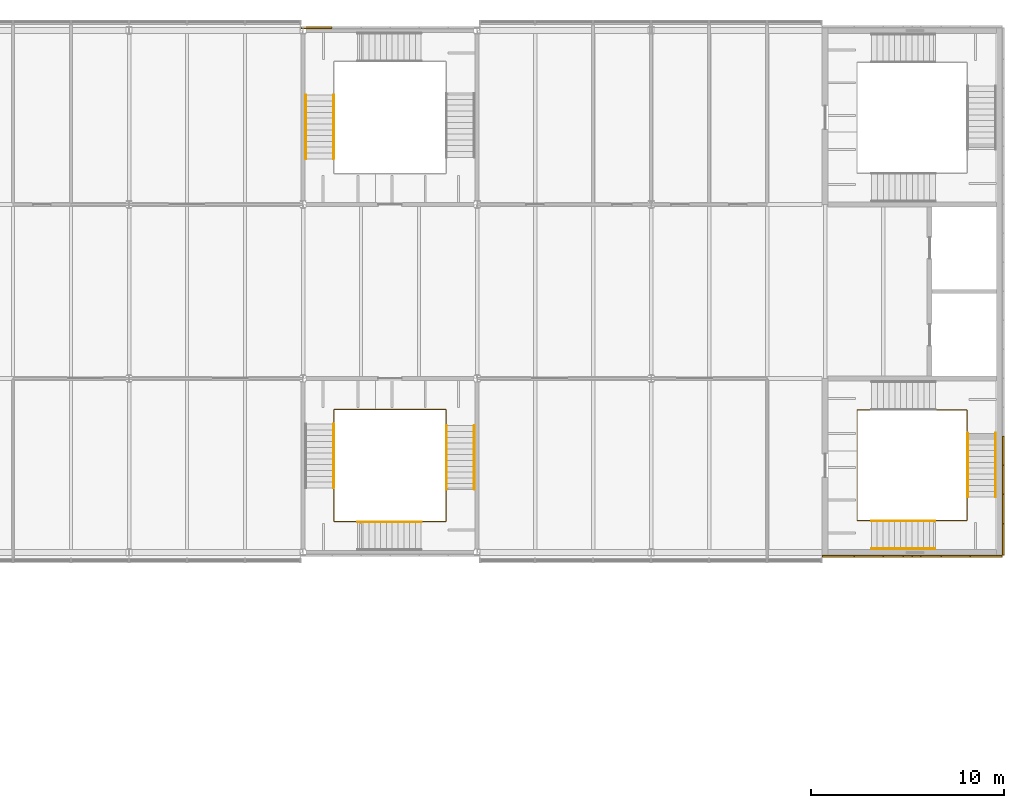
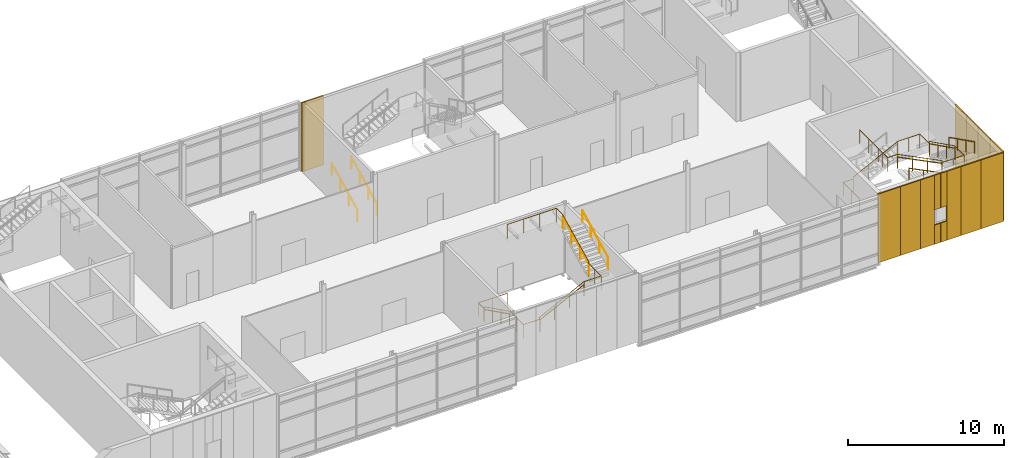
# One storey, part 52 of 53: 15 coverings, 12 railings.
"""IFC4 building model written with IfcOpenShell, lengths in metres."""

from ifc_helpers import new_model, si_unit, direction, frame, origin, origin_2d, place, context, subcontext, project, spatial, rectangle, circle, extrude, material, layer, layer_set, type_object, element, save


model = new_model("IFC4")

# Units and contexts
model_context = context("Model", 3, precision=1e-05, world=origin(), true_north=direction((0.0, 1.0)))
body_context = subcontext(model_context, "Body", "Model", "MODEL_VIEW")
ifc_project = project(units=[si_unit("LENGTHUNIT", "METRE"), si_unit("AREAUNIT", "SQUARE_METRE"), si_unit("VOLUMEUNIT", "CUBIC_METRE"), si_unit("PLANEANGLEUNIT", "RADIAN"), si_unit("MASSUNIT", "GRAM", prefix="KILO")], contexts=[model_context])

# Site, building, storey
site_placement = place(None, origin())
site = spatial("IfcSite", under=ifc_project, at=site_placement, CompositionType="ELEMENT")
building_placement = place(site_placement, origin())
building = spatial("IfcBuilding", under=site, at=building_placement, Name="Azimuth Sports and Learning Centre", CompositionType="ELEMENT")
storey_placement = place(building_placement, frame((0.0, 0.0, 10.800048828125)))
storey = spatial("IfcBuildingStorey", under=building, at=storey_placement, Name="L02", CompositionType="ELEMENT", Elevation=10.800048828125)

# Coverings
ifc_material_1 = material(Name="Cladding panel")
ifc_layer = layer(ifc_material_1, 0.10009765625)
ifc_layer_set = layer_set([ifc_layer], Name="Cladding panel")
covering_type = type_object("IfcCoveringType", Name="Cladding panel 100", PredefinedType="CLADDING", material=ifc_layer_set)
covering_1_placement = place(storey_placement, frame((162.675048828125, 89.800048828125, 0.0), z_axis=(0.0, 0.0, 1.0), x_axis=(1.0, 0.0, 0.0)))
element("IfcCovering", 1, at=covering_1_placement, inside=storey, type_object=covering_type, Name="Cladding panel S-END E L02 1", PredefinedType="CLADDING", context=body_context, shape_type="SweptSolid", body=[
    extrude(rectangle(XDim=1.64990234375, YDim=0.10009765625, at=origin_2d()), origin(), (0.0, 0.0, 1.0), 5.39990234375),
])
covering_2_placement = place(storey_placement, frame((164.25, 89.800048828125, 0.0), z_axis=(0.0, 0.0, 1.0), x_axis=(1.0, 0.0, 0.0)))
element("IfcCovering", 2, at=covering_2_placement, inside=storey, type_object=covering_type, Name="Cladding panel S-END E L02 2", PredefinedType="CLADDING", context=body_context, shape_type="SweptSolid", body=[
    extrude(rectangle(XDim=1.5, YDim=0.10009765625, at=origin_2d()), origin(), (0.0, 0.0, 1.0), 5.39990234375),
])
covering_3_placement = place(storey_placement, frame((165.52490234375, 89.800048828125, 0.0), z_axis=(0.0, 0.0, 1.0), x_axis=(1.0, 0.0, 0.0)))
element("IfcCovering", 3, at=covering_3_placement, inside=storey, type_object=covering_type, Name="Cladding panel S-END E L02 3", PredefinedType="CLADDING", context=body_context, shape_type="SweptSolid", body=[
    extrude(rectangle(XDim=1.050048828125, YDim=0.10009765625, at=origin_2d()), origin(), (0.0, 0.0, 1.0), 5.39990234375),
])
covering_4_placement = place(storey_placement, frame((166.27490234375, 89.800048828125, 0.0), z_axis=(0.0, 0.0, 1.0), x_axis=(1.0, 0.0, 0.0)))
element("IfcCovering", 4, at=covering_4_placement, inside=storey, type_object=covering_type, Name="Cladding panel S-END E L02 4", PredefinedType="CLADDING", context=body_context, shape_type="SweptSolid", body=[
    extrude(rectangle(XDim=0.449951171875, YDim=0.10009765625, at=origin_2d()), origin(), (0.0, 0.0, 1.0), 1.5),
])
covering_5_placement = place(storey_placement, frame((166.27490234375, 89.800048828125, 2.7001953125), z_axis=(0.0, 0.0, 1.0), x_axis=(1.0, 0.0, 0.0)))
element("IfcCovering", 5, at=covering_5_placement, inside=storey, type_object=covering_type, Name="Cladding panel S-END E L02 5", PredefinedType="CLADDING", context=body_context, shape_type="SweptSolid", body=[
    extrude(rectangle(XDim=0.449951171875, YDim=0.10009765625, at=origin_2d()), origin(), (0.0, 0.0, 1.0), 2.699951171875),
])
covering_6_placement = place(storey_placement, frame((167.47509765625, 89.800048828125, 0.0), z_axis=(0.0, 0.0, 1.0), x_axis=(1.0, 0.0, 0.0)))
element("IfcCovering", 6, at=covering_6_placement, inside=storey, type_object=covering_type, Name="Cladding panel S-END E L02 6", PredefinedType="CLADDING", context=body_context, shape_type="SweptSolid", body=[
    extrude(rectangle(XDim=1.050048828125, YDim=0.10009765625, at=origin_2d()), origin(), (0.0, 0.0, 1.0), 5.39990234375),
])
covering_7_placement = place(storey_placement, frame((166.72509765625, 89.800048828125, 0.0), z_axis=(0.0, 0.0, 1.0), x_axis=(1.0, 0.0, 0.0)))
element("IfcCovering", 7, at=covering_7_placement, inside=storey, type_object=covering_type, Name="Cladding panel S-END E L02 7", PredefinedType="CLADDING", context=body_context, shape_type="SweptSolid", body=[
    extrude(rectangle(XDim=0.449951171875, YDim=0.10009765625, at=origin_2d()), origin(), (0.0, 0.0, 1.0), 1.5),
])
covering_8_placement = place(storey_placement, frame((166.72509765625, 89.800048828125, 2.7001953125), z_axis=(0.0, 0.0, 1.0), x_axis=(1.0, 0.0, 0.0)))
element("IfcCovering", 8, at=covering_8_placement, inside=storey, type_object=covering_type, Name="Cladding panel S-END E L02 8", PredefinedType="CLADDING", context=body_context, shape_type="SweptSolid", body=[
    extrude(rectangle(XDim=0.449951171875, YDim=0.10009765625, at=origin_2d()), origin(), (0.0, 0.0, 1.0), 2.699951171875),
])
covering_9_placement = place(storey_placement, frame((168.75, 89.800048828125, 0.0), z_axis=(0.0, 0.0, 1.0), x_axis=(1.0, 0.0, 0.0)))
element("IfcCovering", 9, at=covering_9_placement, inside=storey, type_object=covering_type, Name="Cladding panel S-END E L02 9", PredefinedType="CLADDING", context=body_context, shape_type="SweptSolid", body=[
    extrude(rectangle(XDim=1.5, YDim=0.10009765625, at=origin_2d()), origin(), (0.0, 0.0, 1.0), 5.39990234375),
])
for number, where, z_axis, x_axis, name in (
    (10, (170.324951171875, 89.800048828125, 0.0), (0.0, 0.0, 1.0), (1.0, 0.0, 0.0), "Cladding panel S-END E L02 10"),
    (11, (171.199951171875, 90.675048828125, 0.0), (0.0, 0.0, 1.0), (0.0, 1.0, 0.0), "Cladding panel E-END E L02 1"),
):
    element("IfcCovering", number, at=place(storey_placement, frame(where, z_axis=z_axis, x_axis=x_axis)), inside=storey, type_object=covering_type, Name=name, PredefinedType="CLADDING", context=body_context, shape_type="SweptSolid", body=[
        extrude(rectangle(XDim=1.64990234375, YDim=0.10009765625, at=origin_2d()), origin(), (0.0, 0.0, 1.0), 5.39990234375),
    ])
for number, where, z_axis, x_axis, name in (
    (12, (171.199951171875, 92.25, 0.0), (0.0, 0.0, 1.0), (0.0, 1.0, 0.0), "Cladding panel E-END E L02 2"),
    (13, (171.199951171875, 93.75, 0.0), (0.0, 0.0, 1.0), (0.0, 1.0, 0.0), "Cladding panel E-END E L02 3"),
    (14, (171.199951171875, 95.25, 0.0), (0.0, 0.0, 1.0), (0.0, 1.0, 0.0), "Cladding panel E-END E L02 4"),
):
    element("IfcCovering", number, at=place(storey_placement, frame(where, z_axis=z_axis, x_axis=x_axis)), inside=storey, type_object=covering_type, Name=name, PredefinedType="CLADDING", context=body_context, shape_type="SweptSolid", body=[
        extrude(rectangle(XDim=1.5, YDim=0.10009765625, at=origin_2d()), origin(), (0.0, 0.0, 1.0), 5.39990234375),
    ])
covering_10_placement = place(storey_placement, frame((135.699951171875, 117.14990234375, 0.0), z_axis=(0.0, 0.0, 1.0), x_axis=(-1.0, 0.0, 0.0)))
element("IfcCovering", 15, at=covering_10_placement, inside=storey, type_object=covering_type, Name="Cladding panel N-EM2 L02 6", PredefinedType="CLADDING", context=body_context, shape_type="SweptSolid", body=[
    extrude(rectangle(XDim=1.60009765625, YDim=0.10009765625, at=origin_2d()), origin(), (0.0, 0.0, 1.0), 5.39990234375),
])

# Railings
ifc_material_2 = material(Name="Stainless steel", Category="steel")
railing_type_1 = type_object("IfcRailingType", Name="Stair guard 1100", PredefinedType="GUARDRAIL", material=ifc_material_2)
railing_1_placement = place(storey_placement, frame((163.659912109375, 95.25, 0.0)))
element("IfcRailing", 16, at=railing_1_placement, inside=storey, type_object=railing_type_1, Name="Guard EW1 L02 well", PredefinedType="GUARDRAIL", context=body_context, shape_type="SweptSolid", body=[
    extrude(circle(Radius=0.02392578125, at=origin_2d()), frame((0.0, 0.0, 1.076171875), z_axis=(0.0, 1.0, 0.0), x_axis=(-1.0, 0.0, 0.0)), (0.0, 0.0, 1.0), 2.114990234375),
    extrude(circle(Radius=0.02392578125, at=origin_2d()), frame((0.0, 2.114990234375, 1.076171875), z_axis=(1.0, 0.0, 0.0), x_axis=(0.0, 1.0, 0.0)), (0.0, 0.0, 1.0), 0.75),
    extrude(circle(Radius=0.02392578125, at=origin_2d()), frame((0.75, 2.114990234375, 1.076171875), z_axis=(0.0, 0.0, 1.0), x_axis=(1.0, 0.0, 0.0)), (0.0, 0.0, 1.0), 0.14990234375),
    extrude(circle(Radius=0.02392578125, at=origin_2d()), frame((0.75, 2.114990234375, 1.22607421875), z_axis=(0.894413956696, 0.0, 0.447240063129), x_axis=(0.0, 1.0, 0.0)), (0.0, 0.0, 1.0), 3.689697265625),
    extrude(circle(Radius=0.02392578125, at=origin_2d()), frame((4.050048828125, 2.114990234375, 2.8759765625), z_axis=(1.0, 0.0, 0.0), x_axis=(0.0, 1.0, 0.0)), (0.0, 0.0, 1.0), 1.630126953125),
    extrude(circle(Radius=0.02392578125, at=origin_2d()), frame((5.68017578125, 2.114990234375, 2.8759765625), z_axis=(0.0, -1.0, 0.0), x_axis=(1.0, 0.0, 0.0)), (0.0, 0.0, 1.0), 1.199951171875),
    extrude(circle(Radius=0.02392578125, at=origin_2d()), frame((5.68017578125, 0.9150390625, 2.8759765625), z_axis=(0.0, 0.0, 1.0), x_axis=(1.0, 0.0, 0.0)), (0.0, 0.0, 1.0), 0.14990234375),
    extrude(circle(Radius=0.02392578125, at=origin_2d()), frame((5.68017578125, 0.9150390625, 3.02587890625), z_axis=(0.0, -0.894440424912, 0.447187126696), x_axis=(1.0, 0.0, 0.0)), (0.0, 0.0, 1.0), 3.689453125),
    extrude(circle(Radius=0.02392578125, at=origin_2d()), frame((5.68017578125, -2.385009765625, 4.67578125), z_axis=(0.0, -1.0, 0.0), x_axis=(1.0, 0.0, 0.0)), (0.0, 0.0, 1.0), 1.205078125),
    extrude(circle(Radius=0.02392578125, at=origin_2d()), frame((5.68017578125, -3.590087890625, 4.67578125), z_axis=(-1.0, 0.0, 0.0), x_axis=(0.0, -1.0, 0.0)), (0.0, 0.0, 1.0), 1.650146484375),
    extrude(circle(Radius=0.02392578125, at=origin_2d()), frame((4.030029296875, -3.590087890625, 4.67578125), z_axis=(0.0, 0.0, 1.0), x_axis=(1.0, 0.0, 0.0)), (0.0, 0.0, 1.0), 0.150146484375),
    extrude(circle(Radius=0.02392578125, at=origin_2d()), frame((4.030029296875, -3.590087890625, 4.826171875), z_axis=(-0.894440424912, 0.0, 0.447187126696), x_axis=(0.0, -1.0, 0.0)), (0.0, 0.0, 1.0), 3.689453125),
    extrude(circle(Radius=0.02392578125, at=origin_2d()), frame((0.72998046875, -3.590087890625, 6.47607421875), z_axis=(-1.0, 0.0, 0.0), x_axis=(0.0, -1.0, 0.0)), (0.0, 0.0, 1.0), 0.72998046875),
    extrude(circle(Radius=0.02392578125, at=origin_2d()), frame((0.0, -3.590087890625, 6.47607421875), z_axis=(0.0, 1.0, 0.0), x_axis=(-1.0, 0.0, 0.0)), (0.0, 0.0, 1.0), 3.590087890625),
    extrude(circle(Radius=0.01611328125, at=origin_2d()), origin(), (0.0, 0.0, 1.0), 1.052001953125),
    extrude(circle(Radius=0.01611328125, at=origin_2d()), frame((0.0, 1.0576171875, 0.0)), (0.0, 0.0, 1.0), 1.052001953125),
    extrude(circle(Radius=0.01611328125, at=origin_2d()), frame((0.0, 2.114990234375, 0.0)), (0.0, 0.0, 1.0), 1.052001953125),
    extrude(circle(Radius=0.01611328125, at=origin_2d()), frame((0.75, 2.114990234375, 0.0)), (0.0, 0.0, 1.0), 1.052001953125),
    extrude(circle(Radius=0.01611328125, at=origin_2d()), frame((0.75, 2.114990234375, 0.14990234375)), (0.0, 0.0, 1.0), 1.052001953125),
    extrude(circle(Radius=0.01611328125, at=origin_2d()), frame((1.85009765625, 2.114990234375, 0.699951171875)), (0.0, 0.0, 1.0), 1.052001953125),
    extrude(circle(Radius=0.01611328125, at=origin_2d()), frame((2.949951171875, 2.114990234375, 1.25)), (0.0, 0.0, 1.0), 1.052001953125),
    extrude(circle(Radius=0.01611328125, at=origin_2d()), frame((4.050048828125, 2.114990234375, 1.800048828125)), (0.0, 0.0, 1.0), 1.052001953125),
    extrude(circle(Radius=0.01611328125, at=origin_2d()), frame((4.865234375, 2.114990234375, 1.800048828125)), (0.0, 0.0, 1.0), 1.052001953125),
    extrude(circle(Radius=0.01611328125, at=origin_2d()), frame((5.68017578125, 2.114990234375, 1.800048828125)), (0.0, 0.0, 1.0), 1.052001953125),
    extrude(circle(Radius=0.01611328125, at=origin_2d()), frame((5.68017578125, 0.9150390625, 1.800048828125)), (0.0, 0.0, 1.0), 1.052001953125),
    extrude(circle(Radius=0.01611328125, at=origin_2d()), frame((5.68017578125, 0.9150390625, 1.949951171875)), (0.0, 0.0, 1.0), 1.052001953125),
    extrude(circle(Radius=0.01611328125, at=origin_2d()), frame((5.68017578125, -0.18505859375, 2.5)), (0.0, 0.0, 1.0), 1.052001953125),
    extrude(circle(Radius=0.01611328125, at=origin_2d()), frame((5.68017578125, -1.284912109375, 3.0498046875)), (0.0, 0.0, 1.0), 1.052001953125),
    extrude(circle(Radius=0.01611328125, at=origin_2d()), frame((5.68017578125, -2.385009765625, 3.599853515625)), (0.0, 0.0, 1.0), 1.052001953125),
    extrude(circle(Radius=0.01611328125, at=origin_2d()), frame((5.68017578125, -3.590087890625, 3.599853515625)), (0.0, 0.0, 1.0), 1.052001953125),
    extrude(circle(Radius=0.01611328125, at=origin_2d()), frame((4.85498046875, -3.590087890625, 3.599853515625)), (0.0, 0.0, 1.0), 1.052001953125),
    extrude(circle(Radius=0.01611328125, at=origin_2d()), frame((4.030029296875, -3.590087890625, 3.599853515625)), (0.0, 0.0, 1.0), 1.052001953125),
    extrude(circle(Radius=0.01611328125, at=origin_2d()), frame((4.030029296875, -3.590087890625, 3.75)), (0.0, 0.0, 1.0), 1.052001953125),
    extrude(circle(Radius=0.01611328125, at=origin_2d()), frame((2.929931640625, -3.590087890625, 4.300048828125)), (0.0, 0.0, 1.0), 1.052001953125),
    extrude(circle(Radius=0.01611328125, at=origin_2d()), frame((1.830078125, -3.590087890625, 4.849853515625)), (0.0, 0.0, 1.0), 1.052001953125),
    extrude(circle(Radius=0.01611328125, at=origin_2d()), frame((0.72998046875, -3.590087890625, 5.39990234375)), (0.0, 0.0, 1.0), 1.052001953125),
    extrude(circle(Radius=0.01611328125, at=origin_2d()), frame((0.0, -3.590087890625, 5.39990234375)), (0.0, 0.0, 1.0), 1.052001953125),
    extrude(circle(Radius=0.01611328125, at=origin_2d()), frame((0.0, -2.393310546875, 5.39990234375)), (0.0, 0.0, 1.0), 1.052001953125),
    extrude(circle(Radius=0.01611328125, at=origin_2d()), frame((0.0, -1.19677734375, 5.39990234375)), (0.0, 0.0, 1.0), 1.052001953125),
    extrude(circle(Radius=0.01611328125, at=origin_2d()), frame((0.0, 0.0, 5.39990234375)), (0.0, 0.0, 1.0), 1.052001953125),
])
railing_2_placement = place(storey_placement, frame((138.75, 97.389892578125, 0.0)))
element("IfcRailing", 17, at=railing_2_placement, inside=storey, type_object=railing_type_1, Name="Guard EM1 L02 well", PredefinedType="GUARDRAIL", context=body_context, shape_type="SweptSolid", body=[
    extrude(circle(Radius=0.02392578125, at=origin_2d()), frame((0.0, 0.0, 1.076171875), z_axis=(-1.0, 0.0, 0.0), x_axis=(0.0, -1.0, 0.0)), (0.0, 0.0, 1.0), 2.139892578125),
    extrude(circle(Radius=0.02392578125, at=origin_2d()), frame((-2.139892578125, 0.0, 1.076171875), z_axis=(0.0, -1.0, 0.0), x_axis=(1.0, 0.0, 0.0)), (0.0, 0.0, 1.0), 0.75),
    extrude(circle(Radius=0.02392578125, at=origin_2d()), frame((-2.139892578125, -0.75, 1.076171875), z_axis=(0.0, 0.0, 1.0), x_axis=(1.0, 0.0, 0.0)), (0.0, 0.0, 1.0), 0.14990234375),
    extrude(circle(Radius=0.02392578125, at=origin_2d()), frame((-2.139892578125, -0.75, 1.22607421875), z_axis=(0.0, -0.894400720042, 0.447266533499), x_axis=(1.0, 0.0, 0.0)), (0.0, 0.0, 1.0), 3.689453125),
    extrude(circle(Radius=0.02392578125, at=origin_2d()), frame((-2.139892578125, -4.0498046875, 2.8759765625), z_axis=(0.0, -1.0, 0.0), x_axis=(1.0, 0.0, 0.0)), (0.0, 0.0, 1.0), 1.72998046875),
    extrude(circle(Radius=0.02392578125, at=origin_2d()), frame((-2.139892578125, -5.77978515625, 2.8759765625), z_axis=(1.0, 0.0, 0.0), x_axis=(0.0, 1.0, 0.0)), (0.0, 0.0, 1.0), 1.199951171875),
    extrude(circle(Radius=0.02392578125, at=origin_2d()), frame((-0.93994140625, -5.77978515625, 2.8759765625), z_axis=(0.0, 0.0, 1.0), x_axis=(1.0, 0.0, 0.0)), (0.0, 0.0, 1.0), 0.14990234375),
    extrude(circle(Radius=0.02392578125, at=origin_2d()), frame((-0.93994140625, -5.77978515625, 3.02587890625), z_axis=(0.894440424912, 0.0, 0.447187126696), x_axis=(0.0, 1.0, 0.0)), (0.0, 0.0, 1.0), 3.689453125),
    extrude(circle(Radius=0.02392578125, at=origin_2d()), frame((2.360107421875, -5.77978515625, 4.67578125), z_axis=(1.0, 0.0, 0.0), x_axis=(0.0, 1.0, 0.0)), (0.0, 0.0, 1.0), 1.27978515625),
    extrude(circle(Radius=0.02392578125, at=origin_2d()), frame((3.639892578125, -5.77978515625, 4.67578125), z_axis=(0.0, 1.0, 0.0), x_axis=(-1.0, 0.0, 0.0)), (0.0, 0.0, 1.0), 1.64990234375),
    extrude(circle(Radius=0.02392578125, at=origin_2d()), frame((3.639892578125, -4.1298828125, 4.67578125), z_axis=(0.0, 0.0, 1.0), x_axis=(1.0, 0.0, 0.0)), (0.0, 0.0, 1.0), 0.150146484375),
    extrude(circle(Radius=0.02392578125, at=origin_2d()), frame((3.639892578125, -4.1298828125, 4.826171875), z_axis=(0.0, 0.894440424912, 0.447187126696), x_axis=(-1.0, 0.0, 0.0)), (0.0, 0.0, 1.0), 3.689453125),
    extrude(circle(Radius=0.02392578125, at=origin_2d()), frame((3.639892578125, -0.829833984375, 6.47607421875), z_axis=(0.0, 1.0, 0.0), x_axis=(-1.0, 0.0, 0.0)), (0.0, 0.0, 1.0), 0.829833984375),
    extrude(circle(Radius=0.02392578125, at=origin_2d()), frame((3.639892578125, 0.0, 6.47607421875), z_axis=(-1.0, 0.0, 0.0), x_axis=(0.0, -1.0, 0.0)), (0.0, 0.0, 1.0), 3.639892578125),
    extrude(circle(Radius=0.01611328125, at=origin_2d()), origin(), (0.0, 0.0, 1.0), 1.052001953125),
    extrude(circle(Radius=0.01611328125, at=origin_2d()), frame((-1.06982421875, 0.0, 0.0)), (0.0, 0.0, 1.0), 1.052001953125),
    extrude(circle(Radius=0.01611328125, at=origin_2d()), frame((-2.139892578125, 0.0, 0.0)), (0.0, 0.0, 1.0), 1.052001953125),
    extrude(circle(Radius=0.01611328125, at=origin_2d()), frame((-2.139892578125, -0.75, 0.0)), (0.0, 0.0, 1.0), 1.052001953125),
    extrude(circle(Radius=0.01611328125, at=origin_2d()), frame((-2.139892578125, -0.75, 0.14990234375)), (0.0, 0.0, 1.0), 1.052001953125),
    extrude(circle(Radius=0.01611328125, at=origin_2d()), frame((-2.139892578125, -1.849853515625, 0.699951171875)), (0.0, 0.0, 1.0), 1.052001953125),
    extrude(circle(Radius=0.01611328125, at=origin_2d()), frame((-2.139892578125, -2.949951171875, 1.25)), (0.0, 0.0, 1.0), 1.052001953125),
    extrude(circle(Radius=0.01611328125, at=origin_2d()), frame((-2.139892578125, -4.0498046875, 1.800048828125)), (0.0, 0.0, 1.0), 1.052001953125),
    extrude(circle(Radius=0.01611328125, at=origin_2d()), frame((-2.139892578125, -4.914794921875, 1.800048828125)), (0.0, 0.0, 1.0), 1.052001953125),
    extrude(circle(Radius=0.01611328125, at=origin_2d()), frame((-2.139892578125, -5.77978515625, 1.800048828125)), (0.0, 0.0, 1.0), 1.052001953125),
    extrude(circle(Radius=0.01611328125, at=origin_2d()), frame((-0.93994140625, -5.77978515625, 1.800048828125)), (0.0, 0.0, 1.0), 1.052001953125),
    extrude(circle(Radius=0.01611328125, at=origin_2d()), frame((-0.93994140625, -5.77978515625, 1.949951171875)), (0.0, 0.0, 1.0), 1.052001953125),
    extrude(circle(Radius=0.01611328125, at=origin_2d()), frame((0.16015625, -5.77978515625, 2.5)), (0.0, 0.0, 1.0), 1.052001953125),
    extrude(circle(Radius=0.01611328125, at=origin_2d()), frame((1.260009765625, -5.77978515625, 3.0498046875)), (0.0, 0.0, 1.0), 1.052001953125),
    extrude(circle(Radius=0.01611328125, at=origin_2d()), frame((2.360107421875, -5.77978515625, 3.599853515625)), (0.0, 0.0, 1.0), 1.052001953125),
    extrude(circle(Radius=0.01611328125, at=origin_2d()), frame((3.639892578125, -5.77978515625, 3.599853515625)), (0.0, 0.0, 1.0), 1.052001953125),
    extrude(circle(Radius=0.01611328125, at=origin_2d()), frame((3.639892578125, -4.954833984375, 3.599853515625)), (0.0, 0.0, 1.0), 1.052001953125),
    extrude(circle(Radius=0.01611328125, at=origin_2d()), frame((3.639892578125, -4.1298828125, 3.599853515625)), (0.0, 0.0, 1.0), 1.052001953125),
    extrude(circle(Radius=0.01611328125, at=origin_2d()), frame((3.639892578125, -4.1298828125, 3.75)), (0.0, 0.0, 1.0), 1.052001953125),
    extrude(circle(Radius=0.01611328125, at=origin_2d()), frame((3.639892578125, -3.02978515625, 4.300048828125)), (0.0, 0.0, 1.0), 1.052001953125),
    extrude(circle(Radius=0.01611328125, at=origin_2d()), frame((3.639892578125, -1.929931640625, 4.849853515625)), (0.0, 0.0, 1.0), 1.052001953125),
    extrude(circle(Radius=0.01611328125, at=origin_2d()), frame((3.639892578125, -0.829833984375, 5.39990234375)), (0.0, 0.0, 1.0), 1.052001953125),
    extrude(circle(Radius=0.01611328125, at=origin_2d()), frame((3.639892578125, 0.0, 5.39990234375)), (0.0, 0.0, 1.0), 1.052001953125),
    extrude(circle(Radius=0.01611328125, at=origin_2d()), frame((2.426513671875, 0.0, 5.39990234375)), (0.0, 0.0, 1.0), 1.052001953125),
    extrude(circle(Radius=0.01611328125, at=origin_2d()), frame((1.21337890625, 0.0, 5.39990234375)), (0.0, 0.0, 1.0), 1.052001953125),
    extrude(circle(Radius=0.01611328125, at=origin_2d()), frame((0.0, 0.0, 5.39990234375)), (0.0, 0.0, 1.0), 1.052001953125),
])
ifc_material_3 = material(Name="Stainless steel", Category="steel")
railing_type_2 = type_object("IfcRailingType", Name="Stair handrail 42", PredefinedType="HANDRAIL", material=ifc_material_3)
for number, where, name in (
    (18, (169.3701171875, 96.1650390625, 1.949951171875), "Handrail EW1 L02 flight 2 inner"),
    (19, (170.81005859375, 96.1650390625, 1.949951171875), "Handrail EW1 L02 flight 2 outer"),
):
    element("IfcRailing", number, at=place(storey_placement, frame(where)), inside=storey, type_object=railing_type_2, Name=name, PredefinedType="HANDRAIL", context=body_context, shape_type="SweptSolid", body=[
        extrude(circle(Radius=0.02099609375, at=origin_2d()), frame((0.0, 0.0, 0.87890625), z_axis=(0.0, -0.894440424912, 0.447187126696), x_axis=(1.0, 0.0, 0.0)), (0.0, 0.0, 1.0), 3.689453125),
        extrude(circle(Radius=0.01611328125, at=origin_2d()), origin(), (0.0, 0.0, 1.0), 0.85791015625),
        extrude(circle(Radius=0.01611328125, at=origin_2d()), frame((0.0, -1.10009765625, 0.550048828125)), (0.0, 0.0, 1.0), 0.85791015625),
        extrude(circle(Radius=0.01611328125, at=origin_2d()), frame((0.0, -2.199951171875, 1.099853515625)), (0.0, 0.0, 1.0), 0.85791015625),
        extrude(circle(Radius=0.01611328125, at=origin_2d()), frame((0.0, -3.300048828125, 1.64990234375)), (0.0, 0.0, 1.0), 0.85791015625),
    ])
for number, where, name in (
    (20, (167.68994140625, 91.6298828125, 3.75), "Handrail EW1 L02 flight 3 inner"),
    (21, (167.68994140625, 90.18994140625, 3.75), "Handrail EW1 L02 flight 3 outer"),
):
    element("IfcRailing", number, at=place(storey_placement, frame(where)), inside=storey, type_object=railing_type_2, Name=name, PredefinedType="HANDRAIL", context=body_context, shape_type="SweptSolid", body=[
        extrude(circle(Radius=0.02099609375, at=origin_2d()), frame((0.0, 0.0, 0.87890625), z_axis=(-0.894440424912, 0.0, 0.447187126696), x_axis=(0.0, -1.0, 0.0)), (0.0, 0.0, 1.0), 3.689453125),
        extrude(circle(Radius=0.01611328125, at=origin_2d()), origin(), (0.0, 0.0, 1.0), 0.85791015625),
        extrude(circle(Radius=0.01611328125, at=origin_2d()), frame((-1.10009765625, 0.0, 0.550048828125)), (0.0, 0.0, 1.0), 0.85791015625),
        extrude(circle(Radius=0.01611328125, at=origin_2d()), frame((-2.199951171875, 0.0, 1.099853515625)), (0.0, 0.0, 1.0), 0.85791015625),
        extrude(circle(Radius=0.01611328125, at=origin_2d()), frame((-3.300048828125, 0.0, 1.64990234375)), (0.0, 0.0, 1.0), 0.85791015625),
    ])
railing_3_placement = place(storey_placement, frame((136.580078125, 96.639892578125, 0.14990234375)))
element("IfcRailing", 22, at=railing_3_placement, inside=storey, type_object=railing_type_2, Name="Handrail EM1 L02 flight 1 inner", PredefinedType="HANDRAIL", context=body_context, shape_type="SweptSolid", body=[
    extrude(circle(Radius=0.02099609375, at=origin_2d()), frame((0.0, 0.0, 0.87890625), z_axis=(0.0, -0.894400720042, 0.447266533499), x_axis=(1.0, 0.0, 0.0)), (0.0, 0.0, 1.0), 3.689453125),
    extrude(circle(Radius=0.01611328125, at=origin_2d()), origin(), (0.0, 0.0, 1.0), 0.85791015625),
    extrude(circle(Radius=0.01611328125, at=origin_2d()), frame((0.0, -1.099853515625, 0.550048828125)), (0.0, 0.0, 1.0), 0.85791015625),
    extrude(circle(Radius=0.01611328125, at=origin_2d()), frame((0.0, -2.199951171875, 1.10009765625)), (0.0, 0.0, 1.0), 0.85791015625),
    extrude(circle(Radius=0.01611328125, at=origin_2d()), frame((0.0, -3.2998046875, 1.650146484375)), (0.0, 0.0, 1.0), 0.85791015625),
])
railing_4_placement = place(storey_placement, frame((137.81005859375, 91.580078125, 1.949951171875)))
element("IfcRailing", 23, at=railing_4_placement, inside=storey, type_object=railing_type_2, Name="Handrail EM1 L02 flight 2 inner", PredefinedType="HANDRAIL", context=body_context, shape_type="SweptSolid", body=[
    extrude(circle(Radius=0.02099609375, at=origin_2d()), frame((0.0, 0.0, 0.87890625), z_axis=(0.894440424912, 0.0, 0.447187126696), x_axis=(0.0, 1.0, 0.0)), (0.0, 0.0, 1.0), 3.689453125),
    extrude(circle(Radius=0.01611328125, at=origin_2d()), origin(), (0.0, 0.0, 1.0), 0.85791015625),
    extrude(circle(Radius=0.01611328125, at=origin_2d()), frame((1.10009765625, 0.0, 0.550048828125)), (0.0, 0.0, 1.0), 0.85791015625),
    extrude(circle(Radius=0.01611328125, at=origin_2d()), frame((2.199951171875, 0.0, 1.099853515625)), (0.0, 0.0, 1.0), 0.85791015625),
    extrude(circle(Radius=0.01611328125, at=origin_2d()), frame((3.300048828125, 0.0, 1.64990234375)), (0.0, 0.0, 1.0), 0.85791015625),
])
for number, where, name in (
    (24, (142.419921875, 93.260009765625, 3.75), "Handrail EM1 L02 flight 3 inner"),
    (25, (143.860107421875, 93.260009765625, 3.75), "Handrail EM1 L02 flight 3 outer"),
):
    element("IfcRailing", number, at=place(storey_placement, frame(where)), inside=storey, type_object=railing_type_2, Name=name, PredefinedType="HANDRAIL", context=body_context, shape_type="SweptSolid", body=[
        extrude(circle(Radius=0.02099609375, at=origin_2d()), frame((0.0, 0.0, 0.87890625), z_axis=(0.0, 0.894440424912, 0.447187126696), x_axis=(-1.0, 0.0, 0.0)), (0.0, 0.0, 1.0), 3.689453125),
        extrude(circle(Radius=0.01611328125, at=origin_2d()), origin(), (0.0, 0.0, 1.0), 0.85791015625),
        extrude(circle(Radius=0.01611328125, at=origin_2d()), frame((0.0, 1.10009765625, 0.550048828125)), (0.0, 0.0, 1.0), 0.85791015625),
        extrude(circle(Radius=0.01611328125, at=origin_2d()), frame((0.0, 2.199951171875, 1.099853515625)), (0.0, 0.0, 1.0), 0.85791015625),
        extrude(circle(Radius=0.01611328125, at=origin_2d()), frame((0.0, 3.300048828125, 1.64990234375)), (0.0, 0.0, 1.0), 0.85791015625),
    ])
for number, where, name in (
    (26, (136.580078125, 110.360107421875, 0.14990234375), "Handrail EM2 L02 flight 1 inner"),
    (27, (135.139892578125, 110.360107421875, 0.14990234375), "Handrail EM2 L02 flight 1 outer"),
):
    element("IfcRailing", number, at=place(storey_placement, frame(where)), inside=storey, type_object=railing_type_2, Name=name, PredefinedType="HANDRAIL", context=body_context, shape_type="SweptSolid", body=[
        extrude(circle(Radius=0.02099609375, at=origin_2d()), frame((0.0, 0.0, 0.87890625), z_axis=(0.0, 0.894400720042, 0.447266533499), x_axis=(-1.0, 0.0, 0.0)), (0.0, 0.0, 1.0), 3.689453125),
        extrude(circle(Radius=0.01611328125, at=origin_2d()), origin(), (0.0, 0.0, 1.0), 0.85791015625),
        extrude(circle(Radius=0.01611328125, at=origin_2d()), frame((0.0, 1.099853515625, 0.550048828125)), (0.0, 0.0, 1.0), 0.85791015625),
        extrude(circle(Radius=0.01611328125, at=origin_2d()), frame((0.0, 2.199951171875, 1.10009765625)), (0.0, 0.0, 1.0), 0.85791015625),
        extrude(circle(Radius=0.01611328125, at=origin_2d()), frame((0.0, 3.2998046875, 1.650146484375)), (0.0, 0.0, 1.0), 0.85791015625),
    ])

save(model, "model.ifc")
